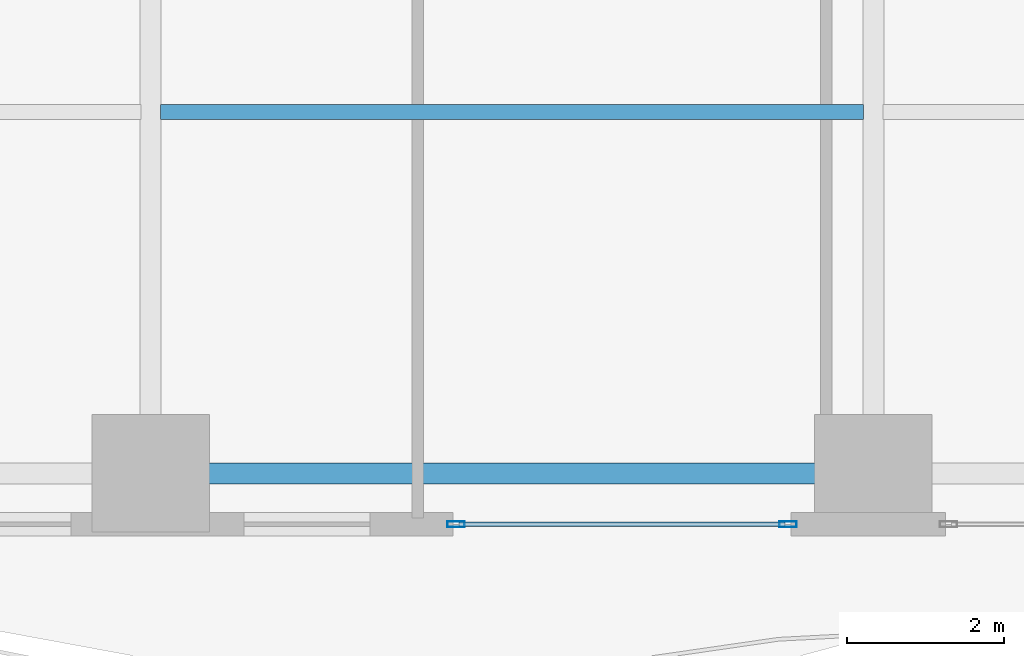
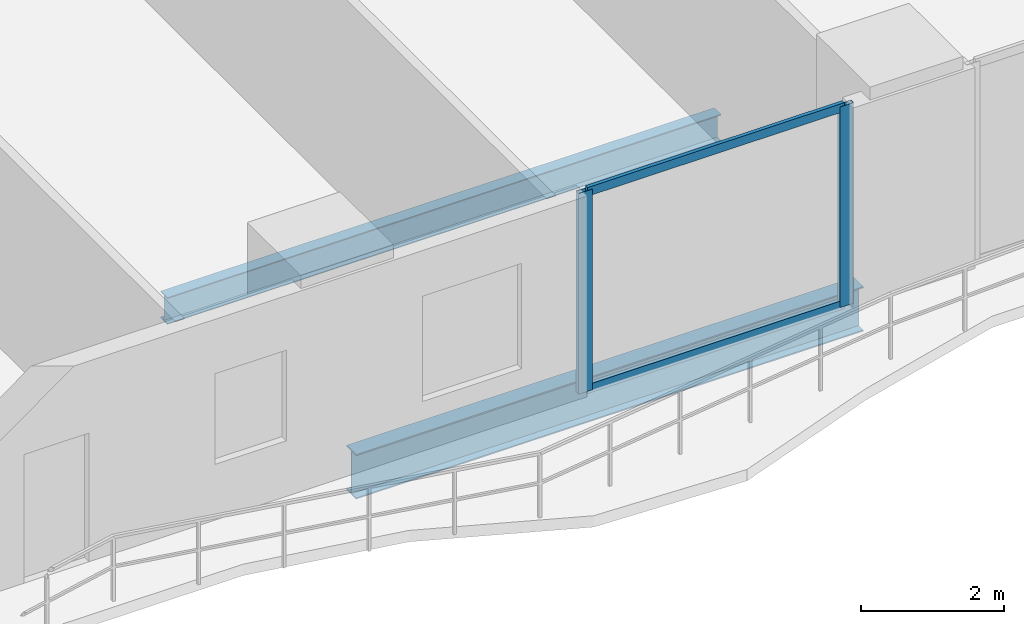
# One storey, part 4 of 28: 4 members, 2 beams, 1 element without a shape of its own.
"""IFC4 building model written with IfcOpenShell, lengths in metres."""

from ifc_helpers import new_model, si_unit, direction, frame, origin, origin_2d, place, context, subcontext, project, spatial, hollow_rectangle, i_section, extrude, material, layer, layer_set, material_profile, profile_set, type_object, element, aggregate, save


model = new_model("IFC4")

# Units and contexts
model_context = context("Model", 3, precision=1e-05, world=origin(), true_north=direction((0.0, 1.0)))
body_context = subcontext(model_context, "Body", "Model", "MODEL_VIEW")
ifc_project = project(units=[si_unit("LENGTHUNIT", "METRE"), si_unit("AREAUNIT", "SQUARE_METRE"), si_unit("VOLUMEUNIT", "CUBIC_METRE"), si_unit("PLANEANGLEUNIT", "RADIAN"), si_unit("MASSUNIT", "GRAM", prefix="KILO")], contexts=[model_context])

# Site, building, storey
site_placement = place(None, origin())
site = spatial("IfcSite", under=ifc_project, at=site_placement, CompositionType="ELEMENT")
building_placement = place(site_placement, origin())
building = spatial("IfcBuilding", under=site, at=building_placement, Name="Zuhayl Quay Hotel", CompositionType="ELEMENT")
storey_placement = place(building_placement, frame((0.0, 0.0, 31.25)))
storey = spatial("IfcBuildingStorey", under=building, at=storey_placement, Name="L06", CompositionType="ELEMENT", Elevation=31.25)

# Beams
ifc_material_1 = material(Name="Steel ASTM A992 Grade 50", Category="steel")
ifc_material_profile_1 = material_profile(ifc_material_1, i_section(OverallWidth=0.26708984375, OverallDepth=0.761962890625, WebThickness=0.014404296875, FlangeThickness=0.021484375, at=origin_2d()), Name="W30X116")
ifc_profile_set_1 = profile_set([ifc_material_profile_1], Name="Steel ASTM A992 Grade 50")
beam_type_1 = type_object("IfcBeamType", Name="BM_B1_W30X116", PredefinedType="BEAM", material=ifc_profile_set_1)
beam_1_placement = place(storey_placement, frame((-4.10009765625, -22.449951171875, -0.60107421875), z_axis=(1.0, 0.0, 0.0), x_axis=(0.0, 1.0, 0.0)))
element("IfcBeam", 1, at=beam_1_placement, inside=storey, type_object=beam_type_1, Name="L06 Floor Beam RG_L06_02", PredefinedType="BEAM", context=body_context, shape_type="SweptSolid", body=[
    extrude(i_section(OverallWidth=0.26708984375, OverallDepth=0.761962890625, WebThickness=0.014404296875, FlangeThickness=0.021484375, at=origin_2d()), origin(), (0.0, 0.0, 1.0), 8.2001953125),
])
ifc_material_profile_2 = material_profile(ifc_material_1, i_section(OverallWidth=0.18994140625, OverallDepth=0.45703125, WebThickness=0.009033203125, FlangeThickness=0.014404296875, at=origin_2d()), Name="W18X50")
ifc_profile_set_2 = profile_set([ifc_material_profile_2], Name="Steel ASTM A992 Grade 50")
beam_type_2 = type_object("IfcBeamType", Name="BM_J2_W18X50", PredefinedType="JOIST", material=ifc_profile_set_2)
beam_2_placement = place(storey_placement, frame((-4.474609375, -17.85009765625, -0.448486328125), z_axis=(1.0, 0.0, 0.0), x_axis=(0.0, 1.0, 0.0)))
element("IfcBeam", 2, at=beam_2_placement, inside=storey, type_object=beam_type_2, Name="L06 Floor Beam FJ_L06_3_2", PredefinedType="JOIST", context=body_context, shape_type="SweptSolid", body=[
    extrude(i_section(OverallWidth=0.18994140625, OverallDepth=0.45703125, WebThickness=0.009033203125, FlangeThickness=0.014404296875, at=origin_2d()), origin(), (0.0, 0.0, 1.0), 8.94921875),
])

# Curtain wall, members
ifc_material_2 = material(Name="Anodised Aluminium 6063-T6", Category="aluminium")
ifc_layer = layer(ifc_material_2, 0.18994140625, Name="Anodised Aluminium 6063-T6", Category="aluminium")
ifc_layer_set = layer_set([ifc_layer], Name="Anodised Aluminium 6063-T6")
curtain_wall_type = type_object("IfcCurtainWallType", Name="CW_SYS_Z1", PredefinedType="USERDEFINED", material=ifc_layer_set)
curtain_wall_placement = place(storey_placement, origin())
curtain_wall = element("IfcCurtainWall", 3, at=curtain_wall_placement, inside=storey, type_object=curtain_wall_type, Name="L06 Curtain Wall ENV_L06_S_CW4", ObjectType="UNITISED CURTAIN WALL", PredefinedType="USERDEFINED")
ifc_material_3 = material(Name="Black-anodised aluminium 6063-T6", Category="aluminium")
ifc_material_profile_3 = material_profile(ifc_material_3, hollow_rectangle(XDim=0.074951171875, YDim=0.219970703125, WallThickness=0.00390625, at=origin_2d()), Name="ALU220X75")
ifc_profile_set_3 = profile_set([ifc_material_profile_3], Name="Black-anodised aluminium 6063-T6")
member_type_1 = type_object("IfcMemberType", Name="MB_CW_MUL_220", PredefinedType="MULLION", material=ifc_profile_set_3)
member_1_placement = place(storey_placement, frame((3.512451171875, -23.10009765625, 0.0), z_axis=(0.0, 0.0, 1.0), x_axis=(0.0, -1.0, 0.0)))
member_1 = element("IfcMember", 4, at=member_1_placement, type_object=member_type_1, Name="CW-Z1 mullion 1", PredefinedType="MULLION", context=body_context, shape_type="SweptSolid", body=[
    extrude(hollow_rectangle(XDim=0.074951171875, YDim=0.219970703125, WallThickness=0.00390625, at=origin_2d()), origin(), (0.0, 0.0, 1.0), 3.429931640625),
])
member_2_placement = place(storey_placement, frame((-0.71240234375, -23.10009765625, 0.0), z_axis=(0.0, 0.0, 1.0), x_axis=(0.0, -1.0, 0.0)))
member_2 = element("IfcMember", 5, at=member_2_placement, type_object=member_type_1, Name="CW-Z1 mullion 2", PredefinedType="MULLION", context=body_context, shape_type="SweptSolid", body=[
    extrude(hollow_rectangle(XDim=0.074951171875, YDim=0.219970703125, WallThickness=0.00390625, at=origin_2d()), origin(), (0.0, 0.0, 1.0), 3.429931640625),
])
ifc_material_profile_4 = material_profile(ifc_material_3, hollow_rectangle(XDim=0.06005859375, YDim=0.14990234375, WallThickness=0.00341796875, at=origin_2d()), Name="ALU150X60")
ifc_profile_set_4 = profile_set([ifc_material_profile_4], Name="Black-anodised aluminium 6063-T6")
member_type_2 = type_object("IfcMemberType", Name="MB_CW_TRN_150", PredefinedType="USERDEFINED", material=ifc_profile_set_4)
member_3_placement = place(storey_placement, frame((3.47509765625, -23.10009765625, 0.030029296875), z_axis=(-1.0, 0.0, 0.0), x_axis=(0.0, -1.0, 0.0)))
member_3 = element("IfcMember", 6, at=member_3_placement, type_object=member_type_2, Name="CW-Z1 transom 1.1", ObjectType="TRANSOM", PredefinedType="USERDEFINED", context=body_context, shape_type="SweptSolid", body=[
    extrude(hollow_rectangle(XDim=0.06005859375, YDim=0.14990234375, WallThickness=0.00341796875, at=origin_2d()), origin(), (0.0, 0.0, 1.0), 4.150146484375),
])
member_4_placement = place(storey_placement, frame((3.47509765625, -23.10009765625, 3.39990234375), z_axis=(-1.0, 0.0, 0.0), x_axis=(0.0, -1.0, 0.0)))
member_4 = element("IfcMember", 7, at=member_4_placement, type_object=member_type_2, Name="CW-Z1 transom 1.2", ObjectType="TRANSOM", PredefinedType="USERDEFINED", context=body_context, shape_type="SweptSolid", body=[
    extrude(hollow_rectangle(XDim=0.06005859375, YDim=0.14990234375, WallThickness=0.00341796875, at=origin_2d()), origin(), (0.0, 0.0, 1.0), 4.150146484375),
])
aggregate(curtain_wall, [member_1, member_2, member_3, member_4])

save(model, "model.ifc")
